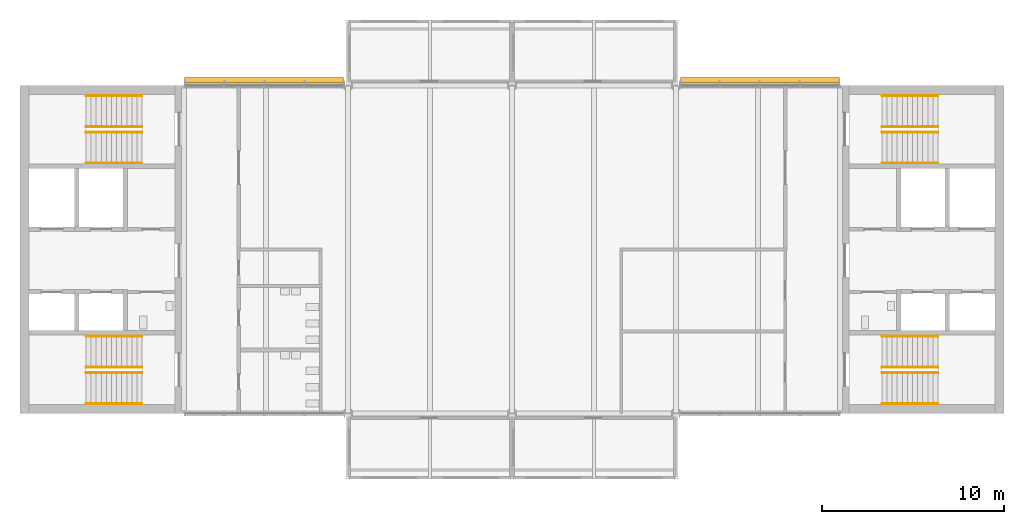
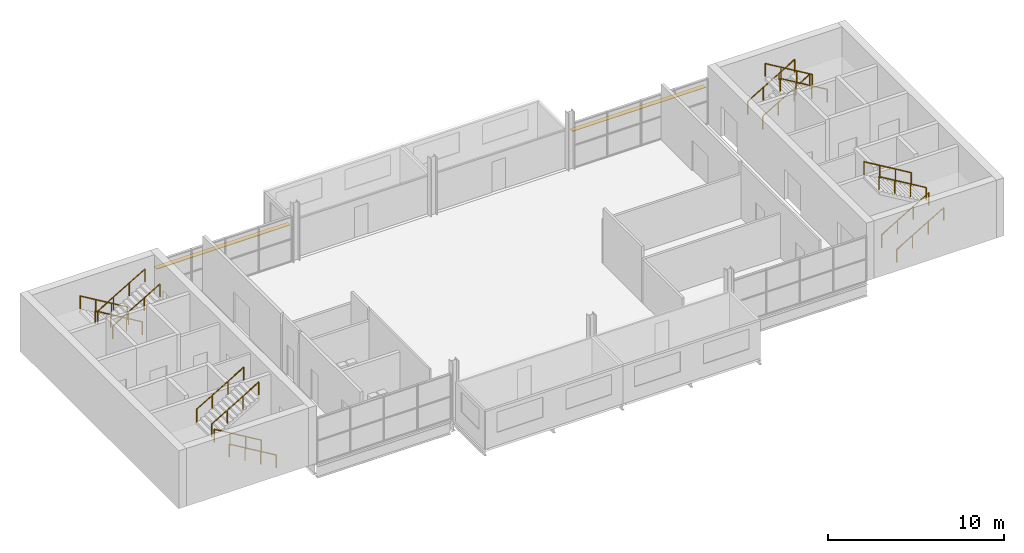
# One storey, part 9 of 10: 16 railings, 2 shading devices.
"""IFC4 building model written with IfcOpenShell, lengths in metres."""

import ifcopenshell
import ifcopenshell.guid

model = None  # the IFC model being written
_history = None  # IfcOwnerHistory: only IFC2X3 demands one
_inside = {}  # id of a spatial element -> (the spatial element, [elements in it])
_under = {}  # id of a project, library or spatial element -> (it, [spatial elements below it])
_declared = {}  # id of a project -> (the project, [libraries it declares])
_typed = {}  # id of a type object -> (the type object, [elements of that type])
_made_of = {}  # id of a material, layer set ... -> (it, [elements and type objects made of it])


def new_model(schema):
    """Start an empty IFC model of exactly this schema.

    Asked for "IFC4X3", IfcOpenShell would pick the latest addendum, in which some entities
    have other attributes; the version numbers below select the first issue.
    IFC2X3 requires an IfcOwnerHistory on every rooted entity: one is made here for all.
    """
    global model, _history
    if schema == "IFC4X3":
        model = ifcopenshell.file(schema_version=(4, 3, 0, 0))
    else:
        model = ifcopenshell.file(schema=schema)
    _inside.clear()
    _under.clear()
    _declared.clear()
    _typed.clear()
    _made_of.clear()
    _history = None
    if model.schema == "IFC2X3":
        org = make("IfcOrganization", Name="unknown")
        user = make(
            "IfcPersonAndOrganization",
            ThePerson=make("IfcPerson", FamilyName="unknown"),
            TheOrganization=org,
        )
        app = make(
            "IfcApplication",
            ApplicationDeveloper=org,
            Version="unknown",
            ApplicationFullName="unknown",
            ApplicationIdentifier="unknown",
        )
        _history = make(
            "IfcOwnerHistory",
            OwningUser=user,
            OwningApplication=app,
            ChangeAction="ADDED",
            CreationDate=0,
        )
    return model


def make(cls, **values):
    """One entity of the class cls with the attributes given. An attribute that is None is left unset."""
    return model.create_entity(
        cls, **{name: value for name, value in values.items() if value is not None}
    )


def rooted(cls, **values):
    """An entity with a GlobalId (a new one), such as an element, a storey or a relation."""
    return make(cls, GlobalId=ifcopenshell.guid.new(), OwnerHistory=_history, **values)


def si_unit(unit_type, name, prefix=None):
    """IfcSIUnit, for example si_unit("LENGTHUNIT", "METRE", prefix="MILLI")."""
    return make("IfcSIUnit", UnitType=unit_type, Prefix=prefix, Name=name)


def assignment(units):
    """IfcUnitAssignment: the units of a project."""
    return None if units is None else make("IfcUnitAssignment", Units=units)


def point(xyz):
    """IfcCartesianPoint."""
    return None if xyz is None else make("IfcCartesianPoint", Coordinates=xyz)


def direction(xyz):
    """IfcDirection."""
    return None if xyz is None else make("IfcDirection", DirectionRatios=xyz)


def frame(location, z_axis=None, x_axis=None):
    """IfcAxis2Placement3D, a coordinate frame: its origin and axes. An axis left out is left unset."""
    return make(
        "IfcAxis2Placement3D",
        Location=point(location),
        Axis=direction(z_axis),
        RefDirection=direction(x_axis),
    )


def frame_2d(location, x_axis=None):
    """IfcAxis2Placement2D, a coordinate frame in the plane: its origin and x axis."""
    return make(
        "IfcAxis2Placement2D", Location=point(location), RefDirection=direction(x_axis)
    )


def origin():
    """The frame at (0, 0, 0) with its axes left unset."""
    return frame((0.0, 0.0, 0.0))


def origin_2d():
    """The frame at (0, 0) in the plane with its x axis left unset."""
    return frame_2d((0.0, 0.0))


def place(relative_to, where):
    """IfcLocalPlacement: puts the frame where relative to a parent placement (None: the world)."""
    return make(
        "IfcLocalPlacement", PlacementRelTo=relative_to, RelativePlacement=where
    )


def context(
    kind, dimensions, precision=None, world=None, true_north=None, identifier=None
):
    """IfcGeometricRepresentationContext, for example the 3D "Model" context."""
    return make(
        "IfcGeometricRepresentationContext",
        ContextIdentifier=identifier,
        ContextType=kind,
        CoordinateSpaceDimension=dimensions,
        Precision=precision,
        WorldCoordinateSystem=world,
        TrueNorth=true_north,
    )


def subcontext(parent, identifier, kind, view, scale=None):
    """IfcGeometricRepresentationSubContext, for example "Body" below "Model"."""
    return make(
        "IfcGeometricRepresentationSubContext",
        ContextIdentifier=identifier,
        ContextType=kind,
        ParentContext=parent,
        TargetScale=scale,
        TargetView=view,
    )


def project(units=None, contexts=None):
    """IfcProject with its units and contexts."""
    return rooted(
        "IfcProject",
        Name="project",
        RepresentationContexts=contexts,
        UnitsInContext=assignment(units),
    )


def spatial(cls, under=None, at=None, **own):
    """A site, building, storey or space (cls), placed at a placement, below another one or the project."""
    s = rooted(cls, ObjectPlacement=at, **own)
    if under is not None:
        _under.setdefault(under.id(), (under, []))[1].append(s)
    return s


def profile(cls, at=None, kind="AREA", **sizes):
    """A parametric profile (cls). Its sizes go by their IFC names, for example OverallWidth=200.0."""
    return make(cls, ProfileType=kind, Position=at, **sizes)


def rectangle(**sizes):
    """IfcRectangleProfileDef."""
    return profile("IfcRectangleProfileDef", **sizes)


def circle(**sizes):
    """IfcCircleProfileDef."""
    return profile("IfcCircleProfileDef", **sizes)


def extrude(swept, where, along, depth):
    """IfcExtrudedAreaSolid: the profile swept, set in the frame where, extruded along a direction by depth."""
    return make(
        "IfcExtrudedAreaSolid",
        SweptArea=swept,
        Position=where,
        ExtrudedDirection=direction(along),
        Depth=depth,
    )


def shape(context_of_items, identifier, shape_type, items):
    """IfcShapeRepresentation: the items that make up one representation, for example the "Body"."""
    return make(
        "IfcShapeRepresentation",
        ContextOfItems=context_of_items,
        RepresentationIdentifier=identifier,
        RepresentationType=shape_type,
        Items=items,
    )


def material(Name=None, Category=None):
    """IfcMaterial."""
    return make("IfcMaterial", Name=Name, Category=Category)


def layer(
    of_material, thickness, ventilated=None, Name=None, Category=None, Priority=None
):
    """IfcMaterialLayer: one layer of a wall or slab, of a material (None: an air gap)."""
    return make(
        "IfcMaterialLayer",
        Material=of_material,
        LayerThickness=thickness,
        IsVentilated=ventilated,
        Name=Name,
        Category=Category,
        Priority=Priority,
    )


def layer_set(layers, Name=None):
    """IfcMaterialLayerSet."""
    return make("IfcMaterialLayerSet", MaterialLayers=layers, LayerSetName=Name)


def made_of(thing, what):
    """Note that an element or type object is made of a material, layer set ...; save() writes the relation."""
    if what is not None:
        _made_of.setdefault(what.id(), (what, []))[1].append(thing)
    return thing


def type_object(cls, material=None, **own):
    """A type object (cls), such as IfcWallType, which elements share."""
    return made_of(rooted(cls, **own), material)


def element(
    cls,
    number,
    at=None,
    inside=None,
    cuts=None,
    type_object=None,
    material=None,
    context=None,
    identifier="Body",
    shape_type=None,
    held_by="IfcProductDefinitionShape",
    body=None,
    shapes=None,
    **own,
):
    """One element of the class cls, such as IfcWall. Its Tag is "e" and its number.

    at: its placement. inside: the storey or other place that contains it. cuts: it is an
    opening in that element (IfcRelVoidsElement). A single representation is given by context,
    identifier, shape_type and body (its items); several are given by shapes. held_by: the class
    of the entity that holds the representations. save() writes the other relations.
    """
    e = rooted(cls, Tag="e%d" % number, ObjectPlacement=at, **own)
    if body is not None:
        shapes = [shape(context, identifier, shape_type, body)]
    if shapes is not None:
        e.Representation = make(held_by, Representations=shapes)
    if inside is not None:
        _inside.setdefault(inside.id(), (inside, []))[1].append(e)
    if cuts is not None:
        rooted(
            "IfcRelVoidsElement", RelatingBuildingElement=cuts, RelatedOpeningElement=e
        )
    if type_object is not None:
        _typed.setdefault(type_object.id(), (type_object, []))[1].append(e)
    return made_of(e, material)


def aggregate(whole, parts):
    """IfcRelAggregates: a whole, such as a stair, and the parts it consists of."""
    return rooted("IfcRelAggregates", RelatingObject=whole, RelatedObjects=parts)


def save(model, path):
    """Write the relations noted so far, then the file.

    IfcRelAggregates (storeys below a building ...), IfcRelContainedInSpatialStructure (elements
    in a storey), IfcRelDefinesByType, IfcRelAssociatesMaterial and IfcRelDeclares: one each for
    every whole, place, type object, material and project.
    """
    for whole, parts in _under.values():
        aggregate(whole, parts)
    for where, things in _inside.values():
        rooted(
            "IfcRelContainedInSpatialStructure",
            RelatedElements=things,
            RelatingStructure=where,
        )
    for kind, things in _typed.values():
        rooted("IfcRelDefinesByType", RelatedObjects=things, RelatingType=kind)
    for what, things in _made_of.values():
        rooted("IfcRelAssociatesMaterial", RelatedObjects=things, RelatingMaterial=what)
    for by, libraries in _declared.values():
        rooted("IfcRelDeclares", RelatingContext=by, RelatedDefinitions=libraries)
    model.write(path)


model = new_model("IFC4")

# Units and contexts
model_context = context("Model", 3, precision=1e-05, world=origin(), true_north=direction((0.0, 1.0)))
body_context = subcontext(model_context, "Body", "Model", "MODEL_VIEW")
ifc_project = project(units=[si_unit("LENGTHUNIT", "METRE"), si_unit("AREAUNIT", "SQUARE_METRE"), si_unit("VOLUMEUNIT", "CUBIC_METRE"), si_unit("PLANEANGLEUNIT", "RADIAN"), si_unit("MASSUNIT", "GRAM", prefix="KILO")], contexts=[model_context])

# Site, building, storey
site_placement = place(None, origin())
site = spatial("IfcSite", under=ifc_project, at=site_placement, CompositionType="ELEMENT")
building_placement = place(site_placement, origin())
building = spatial("IfcBuilding", under=site, at=building_placement, Name="Corbel Yard City Hall", CompositionType="ELEMENT")
storey_placement = place(building_placement, frame((0.0, 0.0, 27.199951171875)))
storey = spatial("IfcBuildingStorey", under=building, at=storey_placement, Name="L06", CompositionType="ELEMENT", Elevation=27.199951171875)

# Railings
ifc_material_1 = material(Name="Stainless steel Grade 316", Category="steel")
railing_type = type_object("IfcRailingType", Name="HR1", PredefinedType="HANDRAIL", material=ifc_material_1)
for number, where, name in (
    (1, (6.699951171875, 99.550048828125, 0.166748046875), "Exit stair ST-W1 handrail"),
    (2, (6.699951171875, 101.25, 0.166748046875), "Exit stair ST-W1 handrail"),
):
    element("IfcRailing", number, at=place(storey_placement, frame(where)), inside=storey, type_object=railing_type, Name=name, PredefinedType="HANDRAIL", context=body_context, shape_type="SweptSolid", body=[
        extrude(circle(Radius=0.02392578125, at=origin_2d()), frame((0.0, 0.0, 0.8759765625), z_axis=(-0.859290745958, 0.0, 0.51148745235), x_axis=(0.0, -1.0, 0.0)), (0.0, 0.0, 1.0), 3.584228515625),
        extrude(circle(Radius=0.02099609375, at=origin_2d()), origin(), (0.0, 0.0, 1.0), 0.851806640625),
        extrude(circle(Radius=0.02099609375, at=origin_2d()), frame((-1.026611328125, 0.0, 0.611083984375)), (0.0, 0.0, 1.0), 0.851806640625),
        extrude(circle(Radius=0.02099609375, at=origin_2d()), frame((-2.05322265625, 0.0, 1.22216796875)), (0.0, 0.0, 1.0), 0.851806640625),
        extrude(circle(Radius=0.02099609375, at=origin_2d()), frame((-3.079833984375, 0.0, 1.833251953125)), (0.0, 0.0, 1.0), 0.851806640625),
    ])
for number, where, name in (
    (3, (3.6201171875, 101.550048828125, 2.166748046875), "Exit stair ST-W1 handrail"),
    (4, (3.6201171875, 103.25, 2.166748046875), "Exit stair ST-W1 handrail"),
):
    element("IfcRailing", number, at=place(storey_placement, frame(where)), inside=storey, type_object=railing_type, Name=name, PredefinedType="HANDRAIL", context=body_context, shape_type="SweptSolid", body=[
        extrude(circle(Radius=0.02392578125, at=origin_2d()), frame((0.0, 0.0, 0.8759765625), z_axis=(0.859290745958, 0.0, 0.51148745235), x_axis=(0.0, 1.0, 0.0)), (0.0, 0.0, 1.0), 3.584228515625),
        extrude(circle(Radius=0.02099609375, at=origin_2d()), origin(), (0.0, 0.0, 1.0), 0.851806640625),
        extrude(circle(Radius=0.02099609375, at=origin_2d()), frame((1.026611328125, 0.0, 0.611083984375)), (0.0, 0.0, 1.0), 0.851806640625),
        extrude(circle(Radius=0.02099609375, at=origin_2d()), frame((2.05322265625, 0.0, 1.22216796875)), (0.0, 0.0, 1.0), 0.851806640625),
        extrude(circle(Radius=0.02099609375, at=origin_2d()), frame((3.079833984375, 0.0, 1.833251953125)), (0.0, 0.0, 1.0), 0.851806640625),
    ])
for number, where, name in (
    (5, (6.699951171875, 116.449951171875, 0.166748046875), "Exit stair ST-W2 handrail"),
    (6, (6.699951171875, 114.75, 0.166748046875), "Exit stair ST-W2 handrail"),
):
    element("IfcRailing", number, at=place(storey_placement, frame(where)), inside=storey, type_object=railing_type, Name=name, PredefinedType="HANDRAIL", context=body_context, shape_type="SweptSolid", body=[
        extrude(circle(Radius=0.02392578125, at=origin_2d()), frame((0.0, 0.0, 0.8759765625), z_axis=(-0.859290745958, 0.0, 0.51148745235), x_axis=(0.0, -1.0, 0.0)), (0.0, 0.0, 1.0), 3.584228515625),
        extrude(circle(Radius=0.02099609375, at=origin_2d()), origin(), (0.0, 0.0, 1.0), 0.851806640625),
        extrude(circle(Radius=0.02099609375, at=origin_2d()), frame((-1.026611328125, 0.0, 0.611083984375)), (0.0, 0.0, 1.0), 0.851806640625),
        extrude(circle(Radius=0.02099609375, at=origin_2d()), frame((-2.05322265625, 0.0, 1.22216796875)), (0.0, 0.0, 1.0), 0.851806640625),
        extrude(circle(Radius=0.02099609375, at=origin_2d()), frame((-3.079833984375, 0.0, 1.833251953125)), (0.0, 0.0, 1.0), 0.851806640625),
    ])
for number, where, name in (
    (7, (3.6201171875, 114.449951171875, 2.166748046875), "Exit stair ST-W2 handrail"),
    (8, (3.6201171875, 112.75, 2.166748046875), "Exit stair ST-W2 handrail"),
    (9, (47.300048828125, 99.550048828125, 0.166748046875), "Exit stair ST-E1 handrail"),
    (10, (47.300048828125, 101.25, 0.166748046875), "Exit stair ST-E1 handrail"),
):
    element("IfcRailing", number, at=place(storey_placement, frame(where)), inside=storey, type_object=railing_type, Name=name, PredefinedType="HANDRAIL", context=body_context, shape_type="SweptSolid", body=[
        extrude(circle(Radius=0.02392578125, at=origin_2d()), frame((0.0, 0.0, 0.8759765625), z_axis=(0.859290745958, 0.0, 0.51148745235), x_axis=(0.0, 1.0, 0.0)), (0.0, 0.0, 1.0), 3.584228515625),
        extrude(circle(Radius=0.02099609375, at=origin_2d()), origin(), (0.0, 0.0, 1.0), 0.851806640625),
        extrude(circle(Radius=0.02099609375, at=origin_2d()), frame((1.026611328125, 0.0, 0.611083984375)), (0.0, 0.0, 1.0), 0.851806640625),
        extrude(circle(Radius=0.02099609375, at=origin_2d()), frame((2.05322265625, 0.0, 1.22216796875)), (0.0, 0.0, 1.0), 0.851806640625),
        extrude(circle(Radius=0.02099609375, at=origin_2d()), frame((3.079833984375, 0.0, 1.833251953125)), (0.0, 0.0, 1.0), 0.851806640625),
    ])
for number, where, name in (
    (11, (50.3798828125, 101.550048828125, 2.166748046875), "Exit stair ST-E1 handrail"),
    (12, (50.3798828125, 103.25, 2.166748046875), "Exit stair ST-E1 handrail"),
):
    element("IfcRailing", number, at=place(storey_placement, frame(where)), inside=storey, type_object=railing_type, Name=name, PredefinedType="HANDRAIL", context=body_context, shape_type="SweptSolid", body=[
        extrude(circle(Radius=0.02392578125, at=origin_2d()), frame((0.0, 0.0, 0.8759765625), z_axis=(-0.859290745958, 0.0, 0.51148745235), x_axis=(0.0, -1.0, 0.0)), (0.0, 0.0, 1.0), 3.584228515625),
        extrude(circle(Radius=0.02099609375, at=origin_2d()), origin(), (0.0, 0.0, 1.0), 0.851806640625),
        extrude(circle(Radius=0.02099609375, at=origin_2d()), frame((-1.026611328125, 0.0, 0.611083984375)), (0.0, 0.0, 1.0), 0.851806640625),
        extrude(circle(Radius=0.02099609375, at=origin_2d()), frame((-2.05322265625, 0.0, 1.22216796875)), (0.0, 0.0, 1.0), 0.851806640625),
        extrude(circle(Radius=0.02099609375, at=origin_2d()), frame((-3.079833984375, 0.0, 1.833251953125)), (0.0, 0.0, 1.0), 0.851806640625),
    ])
for number, where, name in (
    (13, (47.300048828125, 116.449951171875, 0.166748046875), "Exit stair ST-E2 handrail"),
    (14, (47.300048828125, 114.75, 0.166748046875), "Exit stair ST-E2 handrail"),
):
    element("IfcRailing", number, at=place(storey_placement, frame(where)), inside=storey, type_object=railing_type, Name=name, PredefinedType="HANDRAIL", context=body_context, shape_type="SweptSolid", body=[
        extrude(circle(Radius=0.02392578125, at=origin_2d()), frame((0.0, 0.0, 0.8759765625), z_axis=(0.859290745958, 0.0, 0.51148745235), x_axis=(0.0, 1.0, 0.0)), (0.0, 0.0, 1.0), 3.584228515625),
        extrude(circle(Radius=0.02099609375, at=origin_2d()), origin(), (0.0, 0.0, 1.0), 0.851806640625),
        extrude(circle(Radius=0.02099609375, at=origin_2d()), frame((1.026611328125, 0.0, 0.611083984375)), (0.0, 0.0, 1.0), 0.851806640625),
        extrude(circle(Radius=0.02099609375, at=origin_2d()), frame((2.05322265625, 0.0, 1.22216796875)), (0.0, 0.0, 1.0), 0.851806640625),
        extrude(circle(Radius=0.02099609375, at=origin_2d()), frame((3.079833984375, 0.0, 1.833251953125)), (0.0, 0.0, 1.0), 0.851806640625),
    ])
for number, where, name in (
    (15, (50.3798828125, 114.449951171875, 2.166748046875), "Exit stair ST-E2 handrail"),
    (16, (50.3798828125, 112.75, 2.166748046875), "Exit stair ST-E2 handrail"),
):
    element("IfcRailing", number, at=place(storey_placement, frame(where)), inside=storey, type_object=railing_type, Name=name, PredefinedType="HANDRAIL", context=body_context, shape_type="SweptSolid", body=[
        extrude(circle(Radius=0.02392578125, at=origin_2d()), frame((0.0, 0.0, 0.8759765625), z_axis=(-0.859290745958, 0.0, 0.51148745235), x_axis=(0.0, -1.0, 0.0)), (0.0, 0.0, 1.0), 3.584228515625),
        extrude(circle(Radius=0.02099609375, at=origin_2d()), origin(), (0.0, 0.0, 1.0), 0.851806640625),
        extrude(circle(Radius=0.02099609375, at=origin_2d()), frame((-1.026611328125, 0.0, 0.611083984375)), (0.0, 0.0, 1.0), 0.851806640625),
        extrude(circle(Radius=0.02099609375, at=origin_2d()), frame((-2.05322265625, 0.0, 1.22216796875)), (0.0, 0.0, 1.0), 0.851806640625),
        extrude(circle(Radius=0.02099609375, at=origin_2d()), frame((-3.079833984375, 0.0, 1.833251953125)), (0.0, 0.0, 1.0), 0.851806640625),
    ])

# Shading devices
ifc_material_2 = material(Name="Anodised aluminium", Category="aluminium")
ifc_layer = layer(ifc_material_2, 0.0400390625)
ifc_layer_set = layer_set([ifc_layer], Name="Anodised aluminium")
shading_device_type = type_object("IfcShadingDeviceType", Name="LV1", PredefinedType="JALOUSIE", material=ifc_layer_set)
for number, where, z_axis, x_axis, name in (
    (17, (13.396484375, 117.2900390625, 2.392578125), (0.0, 0.0, 1.0), (1.0, 0.0, 0.0), "Louvre blade"),
    (18, (40.603515625, 117.2900390625, 2.392578125), (0.0, 0.0, 1.0), (1.0, 0.0, 0.0), "Louvre blade"),
):
    element("IfcShadingDevice", number, at=place(storey_placement, frame(where, z_axis=z_axis, x_axis=x_axis)), inside=storey, type_object=shading_device_type, Name=name, PredefinedType="JALOUSIE", context=body_context, shape_type="SweptSolid", body=[
        extrude(rectangle(XDim=8.72802734375, YDim=0.300048828125, at=origin_2d()), origin(), (0.0, 0.0, 1.0), 0.0400390625),
    ])

save(model, "model.ifc")
